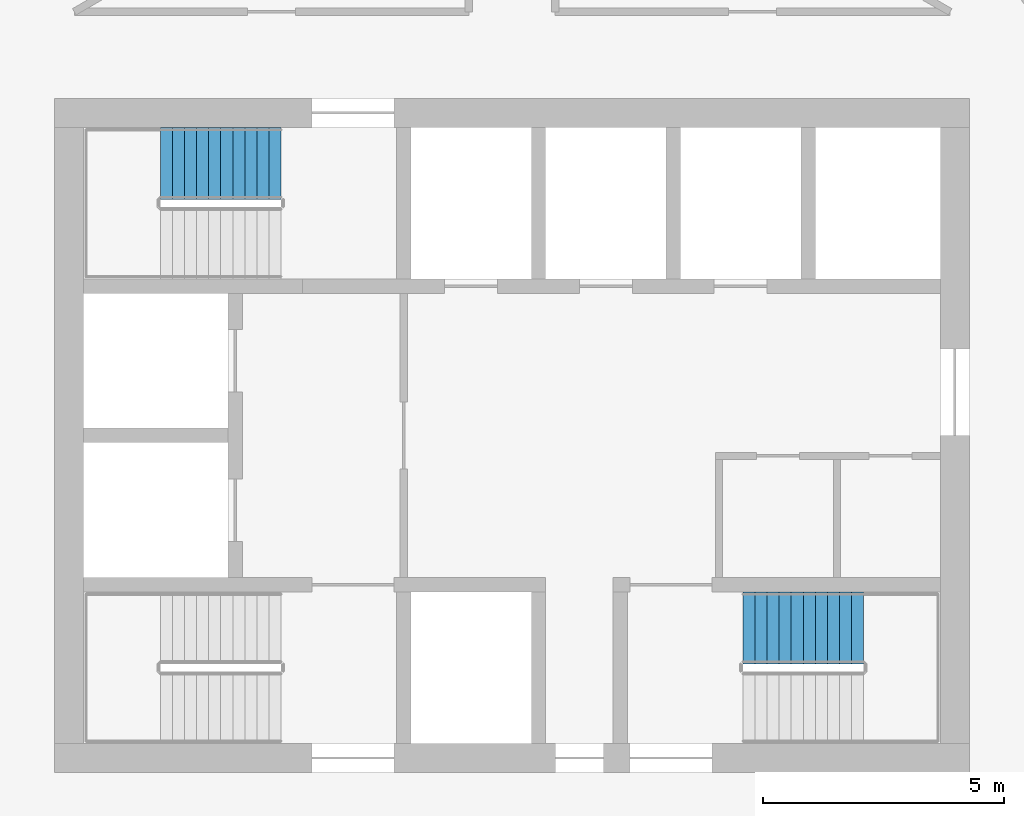
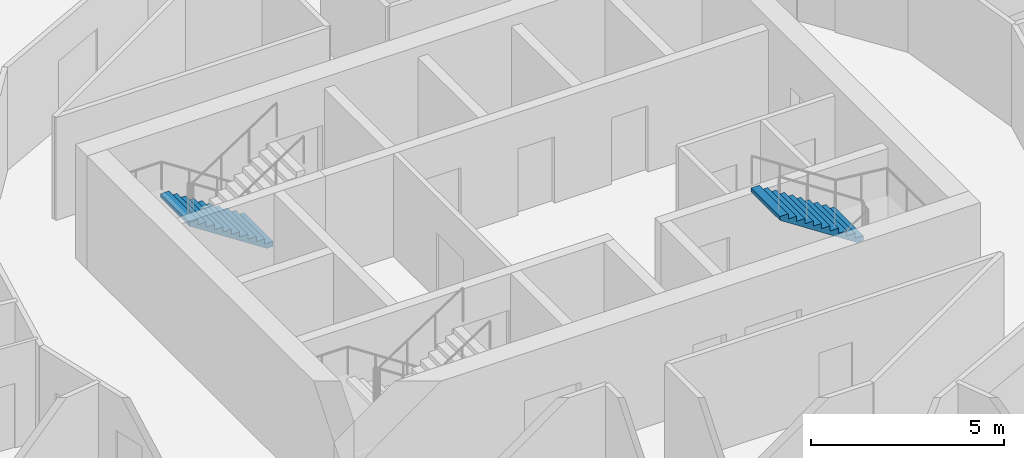
# One storey, part 11 of 12: 2 stair flights, 2 elements without a shape of their own.
"""IFC4 building model written with IfcOpenShell, lengths in metres."""

from ifc_helpers import new_model, si_unit, direction, frame, origin, place, context, subcontext, project, spatial, polyline, outline, extrude, material, type_object, element, aggregate, save


model = new_model("IFC4")

# Units and contexts
model_context = context("Model", 3, precision=1e-05, world=origin(), true_north=direction((0.0, 1.0)))
body_context = subcontext(model_context, "Body", "Model", "MODEL_VIEW")
ifc_project = project(units=[si_unit("LENGTHUNIT", "METRE"), si_unit("AREAUNIT", "SQUARE_METRE"), si_unit("VOLUMEUNIT", "CUBIC_METRE"), si_unit("PLANEANGLEUNIT", "RADIAN"), si_unit("MASSUNIT", "GRAM", prefix="KILO")], contexts=[model_context])

# Site, building, storey
site_placement = place(None, origin())
site = spatial("IfcSite", under=ifc_project, at=site_placement, CompositionType="ELEMENT")
building_placement = place(site_placement, origin())
building = spatial("IfcBuilding", under=site, at=building_placement, Name="Tracery Tower", CompositionType="ELEMENT")
storey_placement = place(building_placement, frame((0.0, 0.0, 283.800048828125)))
storey = spatial("IfcBuildingStorey", under=building, at=storey_placement, Name="L73", CompositionType="ELEMENT", Elevation=283.800048828125)

# Stair, stair flight
ifc_material_1 = material(Name="Concrete C32/40", Category="concrete")
stair_type = type_object("IfcStairType", Name="Core stair 22 risers", PredefinedType="HALF_TURN_STAIR", material=ifc_material_1)
stair_1_placement = place(storey_placement, origin())
stair_1 = element("IfcStair", 1, at=stair_1_placement, inside=storey, type_object=stair_type, Name="L73 stair ST3", PredefinedType="HALF_TURN_STAIR")
ifc_material_2 = material(Name="Concrete C32/40", Category="concrete")
stair_flight_type = type_object("IfcStairFlightType", Name="Core stair flight 11 risers", PredefinedType="STRAIGHT", material=ifc_material_2)
stair_flight_1_placement = place(storey_placement, frame((-4.800048828125, 5.64990234375, 0.0), z_axis=(0.0, 0.0, 1.0), x_axis=(-1.0, 0.0, 0.0)))
stair_flight_1 = element("IfcStairFlight", 2, at=stair_flight_1_placement, type_object=stair_flight_type, Name="ST3 flight 1", NumberOfRisers=11, NumberOfTreads=10, PredefinedType="STRAIGHT", RiserHeight=0.163636364, TreadLength=0.25, context=body_context, shape_type="SweptSolid", body=[
    extrude(outline(polyline([(0.0, 0.0), (0.0, 0.002685546875), (0.0, 0.00537109375), (0.0, 0.008056640625), (0.0, 0.0107421875), (0.0, 0.013427734375), (0.0, 0.01611328125), (0.0, 0.018798828125), (0.0, 0.021484375), (0.0, 0.024169921875), (0.0, 0.02685546875), (0.0, 0.029541015625), (0.0, 0.0322265625), (0.0, 0.034912109375), (0.0, 0.03759765625), (0.0, 0.040283203125), (0.0, 0.04296875), (0.0, 0.045654296875), (0.0, 0.04833984375), (0.0, 0.051025390625), (0.0, 0.0537109375), (0.0, 0.056396484375), (0.0, 0.05908203125), (0.0, 0.061767578125), (0.0, 0.064453125), (0.0, 0.067138671875), (0.0, 0.06982421875), (0.0, 0.072509765625), (0.0, 0.0751953125), (0.0, 0.077880859375), (0.0, 0.08056640625), (0.0, 0.083251953125), (0.0, 0.0859375), (0.0, 0.088623046875), (0.0, 0.09130859375), (0.0, 0.093994140625), (0.0, 0.0966796875), (0.0, 0.099365234375), (0.0, 0.10205078125), (0.0, 0.104736328125), (0.0, 0.107421875), (0.0, 0.10986328125), (0.0, 0.112548828125), (0.0, 0.115234375), (0.0, 0.117919921875), (0.0, 0.12060546875), (0.0, 0.123291015625), (0.0, 0.1259765625), (0.0, 0.128662109375), (0.0, 0.13134765625), (0.0, 0.134033203125), (0.0, 0.13671875), (0.0, 0.139404296875), (0.0, 0.14208984375), (0.0, 0.144775390625), (0.0, 0.1474609375), (0.0, 0.150146484375), (0.0, 0.15283203125), (0.0, 0.155517578125), (0.0, 0.158203125), (0.0, 0.160888671875), (0.0, 0.16357421875), (0.25, 0.16357421875), (0.25, 0.327392578125), (0.5, 0.327392578125), (0.5, 0.490966796875), (0.75, 0.490966796875), (0.75, 0.654541015625), (1.0, 0.654541015625), (1.0, 0.818115234375), (1.25, 0.818115234375), (1.25, 0.98193359375), (1.5, 0.98193359375), (1.5, 1.1455078125), (1.75, 1.1455078125), (1.75, 1.30908203125), (2.0, 1.30908203125), (2.0, 1.47265625), (2.25, 1.47265625), (2.25, 1.636474609375), (2.5, 1.636474609375), (2.5, 1.634521484375), (2.5, 1.63232421875), (2.5, 1.63037109375), (2.5, 1.62841796875), (2.5, 1.62646484375), (2.5, 1.62451171875), (2.5, 1.62255859375), (2.5, 1.62060546875), (2.5, 1.61865234375), (2.5, 1.61669921875), (2.5, 1.61474609375), (2.5, 1.61279296875), (2.5, 1.61083984375), (2.5, 1.60888671875), (2.5, 1.60693359375), (2.5, 1.60498046875), (2.5, 1.60302734375), (2.5, 1.60107421875), (2.5, 1.59912109375), (2.5, 1.59716796875), (2.5, 1.59521484375), (2.5, 1.59326171875), (2.5, 1.59130859375), (2.5, 1.58935546875), (2.5, 1.58740234375), (2.5, 1.58544921875), (2.5, 1.58349609375), (2.5, 1.58154296875), (2.5, 1.57958984375), (2.5, 1.57763671875), (2.5, 1.57568359375), (2.5, 1.573486328125), (2.5, 1.571533203125), (2.5, 1.569580078125), (2.5, 1.567626953125), (2.5, 1.565673828125), (2.5, 1.563720703125), (2.5, 1.561767578125), (2.5, 1.559814453125), (2.5, 1.557861328125), (2.5, 1.555908203125), (2.5, 1.553955078125), (2.5, 1.552001953125), (2.5, 1.550048828125), (2.5, 1.548095703125), (2.5, 1.546142578125), (2.5, 1.544189453125), (2.5, 1.542236328125), (2.5, 1.540283203125), (2.5, 1.538330078125), (2.5, 1.536376953125), (2.5, 1.534423828125), (2.5, 1.532470703125), (2.5, 1.530517578125), (2.5, 1.528564453125), (2.5, 1.526611328125), (2.5, 1.524658203125), (2.5, 1.522705078125), (2.5, 1.520751953125), (2.5, 1.518798828125), (2.5, 1.516845703125), (0.182861328125, 0.0), (0.0, 0.0)])), frame((0.0, 0.75, 0.0), z_axis=(0.0, -1.0, 0.0), x_axis=(1.0, 0.0, 0.0)), (0.0, 0.0, 1.0), 1.5),
])
aggregate(stair_1, [stair_flight_1])

stair_2_placement = place(storey_placement, origin())
stair_2 = element("IfcStair", 3, at=stair_2_placement, inside=storey, type_object=stair_type, Name="L73 stair ST2", PredefinedType="HALF_TURN_STAIR")
stair_flight_2_placement = place(storey_placement, frame((7.300048828125, -4.0, 1.800048828125), z_axis=(0.0, 0.0, 1.0), x_axis=(-1.0, 0.0, 0.0)))
stair_flight_2 = element("IfcStairFlight", 4, at=stair_flight_2_placement, type_object=stair_flight_type, Name="ST2 flight 2", NumberOfRisers=11, NumberOfTreads=10, PredefinedType="STRAIGHT", RiserHeight=0.163636364, TreadLength=0.25, context=body_context, shape_type="SweptSolid", body=[
    extrude(outline(polyline([(0.0, 0.0), (0.0, 0.002685546875), (0.0, 0.00537109375), (0.0, 0.008056640625), (0.0, 0.0107421875), (0.0, 0.013427734375), (0.0, 0.01611328125), (0.0, 0.018798828125), (0.0, 0.021484375), (0.0, 0.024169921875), (0.0, 0.02685546875), (0.0, 0.029541015625), (0.0, 0.0322265625), (0.0, 0.034912109375), (0.0, 0.03759765625), (0.0, 0.040283203125), (0.0, 0.04296875), (0.0, 0.045654296875), (0.0, 0.04833984375), (0.0, 0.051025390625), (0.0, 0.0537109375), (0.0, 0.056396484375), (0.0, 0.05908203125), (0.0, 0.061767578125), (0.0, 0.064453125), (0.0, 0.067138671875), (0.0, 0.06982421875), (0.0, 0.072509765625), (0.0, 0.0751953125), (0.0, 0.077880859375), (0.0, 0.08056640625), (0.0, 0.083251953125), (0.0, 0.0859375), (0.0, 0.088623046875), (0.0, 0.09130859375), (0.0, 0.093994140625), (0.0, 0.0966796875), (0.0, 0.099365234375), (0.0, 0.10205078125), (0.0, 0.104736328125), (0.0, 0.107421875), (0.0, 0.10986328125), (0.0, 0.112548828125), (0.0, 0.115234375), (0.0, 0.117919921875), (0.0, 0.12060546875), (0.0, 0.123291015625), (0.0, 0.1259765625), (0.0, 0.128662109375), (0.0, 0.13134765625), (0.0, 0.134033203125), (0.0, 0.13671875), (0.0, 0.139404296875), (0.0, 0.14208984375), (0.0, 0.144775390625), (0.0, 0.1474609375), (0.0, 0.150146484375), (0.0, 0.15283203125), (0.0, 0.155517578125), (0.0, 0.158203125), (0.0, 0.160888671875), (0.0, 0.16357421875), (0.25, 0.16357421875), (0.25, 0.327392578125), (0.5, 0.327392578125), (0.5, 0.490966796875), (0.75, 0.490966796875), (0.75, 0.654541015625), (1.0, 0.654541015625), (1.0, 0.818115234375), (1.25, 0.818115234375), (1.25, 0.98193359375), (1.5, 0.98193359375), (1.5, 1.1455078125), (1.75, 1.1455078125), (1.75, 1.30908203125), (2.0, 1.30908203125), (2.0, 1.47265625), (2.25, 1.47265625), (2.25, 1.636474609375), (2.5, 1.636474609375), (2.5, 1.634521484375), (2.5, 1.63232421875), (2.5, 1.63037109375), (2.5, 1.62841796875), (2.5, 1.62646484375), (2.5, 1.62451171875), (2.5, 1.62255859375), (2.5, 1.62060546875), (2.5, 1.61865234375), (2.5, 1.61669921875), (2.5, 1.61474609375), (2.5, 1.61279296875), (2.5, 1.61083984375), (2.5, 1.60888671875), (2.5, 1.60693359375), (2.5, 1.60498046875), (2.5, 1.60302734375), (2.5, 1.60107421875), (2.5, 1.59912109375), (2.5, 1.59716796875), (2.5, 1.59521484375), (2.5, 1.59326171875), (2.5, 1.59130859375), (2.5, 1.58935546875), (2.5, 1.58740234375), (2.5, 1.58544921875), (2.5, 1.58349609375), (2.5, 1.58154296875), (2.5, 1.57958984375), (2.5, 1.57763671875), (2.5, 1.57568359375), (2.5, 1.573486328125), (2.5, 1.571533203125), (2.5, 1.569580078125), (2.5, 1.567626953125), (2.5, 1.565673828125), (2.5, 1.563720703125), (2.5, 1.561767578125), (2.5, 1.559814453125), (2.5, 1.557861328125), (2.5, 1.555908203125), (2.5, 1.553955078125), (2.5, 1.552001953125), (2.5, 1.550048828125), (2.5, 1.548095703125), (2.5, 1.546142578125), (2.5, 1.544189453125), (2.5, 1.542236328125), (2.5, 1.540283203125), (2.5, 1.538330078125), (2.5, 1.536376953125), (2.5, 1.534423828125), (2.5, 1.532470703125), (2.5, 1.530517578125), (2.5, 1.528564453125), (2.5, 1.526611328125), (2.5, 1.524658203125), (2.5, 1.522705078125), (2.5, 1.520751953125), (2.5, 1.518798828125), (2.5, 1.516845703125), (0.182861328125, 0.0), (0.0, 0.0)])), frame((0.0, 0.75, 0.0), z_axis=(0.0, -1.0, 0.0), x_axis=(1.0, 0.0, 0.0)), (0.0, 0.0, 1.0), 1.5),
])
aggregate(stair_2, [stair_flight_2])

save(model, "model.ifc")
